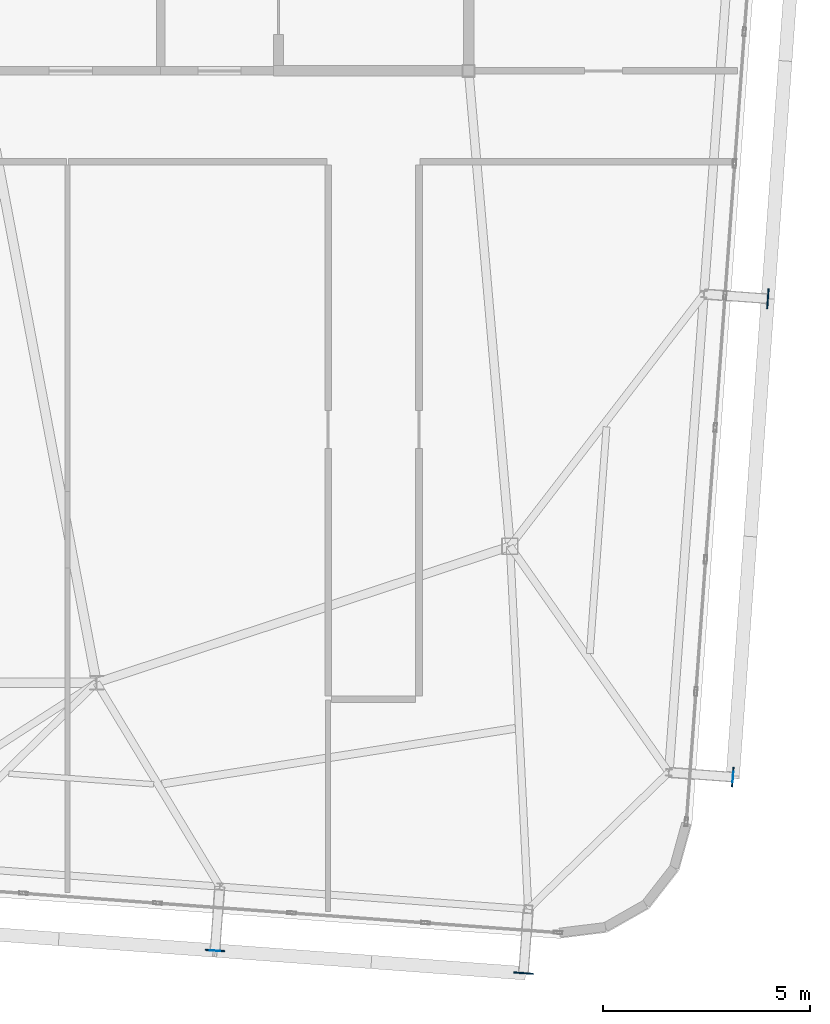
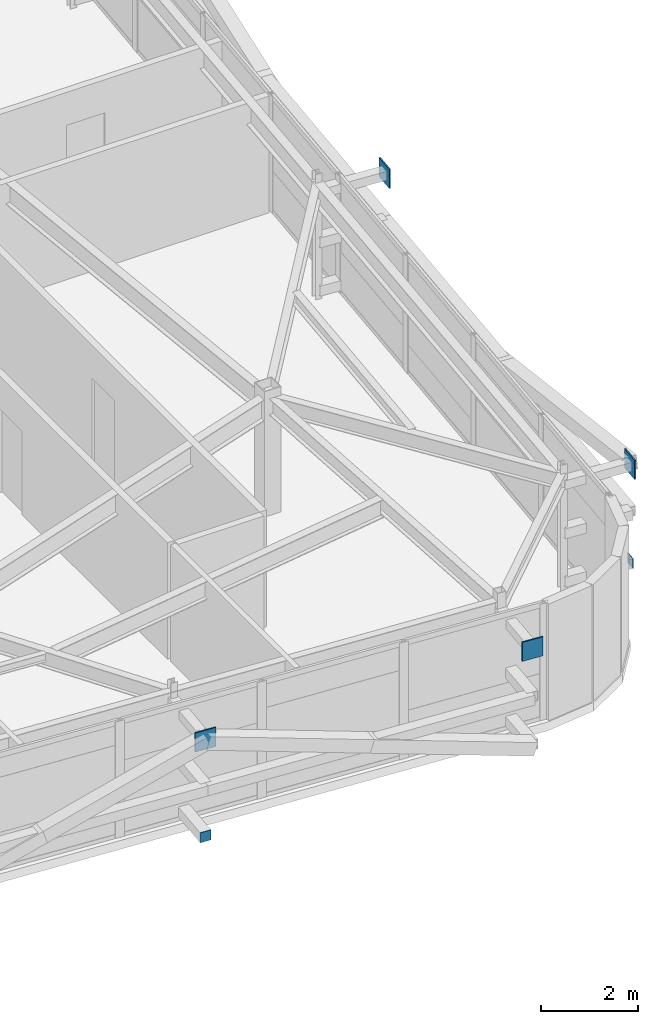
# One storey, part 34 of 42: 6 plates.
"""IFC4 building model written with IfcOpenShell, lengths in metres."""

from ifc_helpers import new_model, si_unit, direction, frame, origin, origin_2d, place, context, subcontext, project, spatial, rectangle, extrude, source, transform, mapped, material, layer, layer_set, type_object, element, save


model = new_model("IFC4")

# Units and contexts
model_context = context("Model", 3, precision=1e-05, world=origin(), true_north=direction((0.0, 1.0)))
body_context = subcontext(model_context, "Body", "Model", "MODEL_VIEW")
ifc_project = project(units=[si_unit("LENGTHUNIT", "METRE"), si_unit("AREAUNIT", "SQUARE_METRE"), si_unit("VOLUMEUNIT", "CUBIC_METRE"), si_unit("PLANEANGLEUNIT", "RADIAN"), si_unit("MASSUNIT", "GRAM", prefix="KILO")], contexts=[model_context])

# Site, building, storey
site_placement = place(None, origin())
site = spatial("IfcSite", under=ifc_project, at=site_placement, CompositionType="ELEMENT")
building_placement = place(site_placement, origin())
building = spatial("IfcBuilding", under=site, at=building_placement, Name="Taldren Reach Tower", CompositionType="ELEMENT")
storey_placement = place(building_placement, frame((0.0, 0.0, 220.85009765625)))
storey = spatial("IfcBuildingStorey", under=building, at=storey_placement, Name="L67", CompositionType="ELEMENT", Elevation=220.85009765625)

# Plates
ifc_material_1 = material(Name="Steel Gr 350 (C350L0)", Category="steel")
ifc_layer_1 = layer(ifc_material_1, 0.011962890625)
ifc_layer_set_1 = layer_set([ifc_layer_1], Name="Steel Gr 350 (C350L0)")
plate_type_1 = type_object("IfcPlateType", Name="PL-CAP-250", PredefinedType="SHEET", material=ifc_layer_set_1)
shared_shape_1 = source(origin(), body_context, "Body", "SweptSolid", [
    extrude(rectangle(XDim=0.25, YDim=0.011962890625, at=origin_2d()), origin(), (0.0, 0.0, 1.0), 0.25),
])
plate_1_placement = place(storey_placement, frame((44.866455078125, 2.717041015625, 0.094970703125), z_axis=(0.0, 0.0, 1.0), x_axis=(0.997314477224, -0.073238197128, 0.0)))
element("IfcPlate", 1, at=plate_1_placement, inside=storey, type_object=plate_type_1, Name="Tie strut end cap plate B5-S5 L67", PredefinedType="SHEET", context=body_context, shape_type="MappedRepresentation", body=[
    mapped(shared_shape_1, transform((0.0, 0.0, 0.0), scale=1.0)),
])
shared_shape_2 = source(origin(), body_context, "Body", "SweptSolid", [
    extrude(rectangle(XDim=0.011962890625, YDim=0.25, at=origin_2d()), origin(), (0.0, 0.0, 1.0), 0.25),
])
plate_2_placement = place(storey_placement, frame((57.3935546875, 6.9169921875, 0.094970703125), z_axis=(0.0, 0.0, 1.0), x_axis=(0.997314477224, -0.073238197128, 0.0)))
element("IfcPlate", 2, at=plate_2_placement, inside=storey, type_object=plate_type_1, Name="Tie strut end cap plate B5-E1 L67", PredefinedType="SHEET", context=body_context, shape_type="MappedRepresentation", body=[
    mapped(shared_shape_2, transform((0.0, 0.0, 0.0), scale=1.0)),
])
ifc_material_2 = material(Name="Steel Gr 450 (C450L0)", Category="steel")
ifc_layer_2 = layer(ifc_material_2, 0.031982421875)
ifc_layer_set_2 = layer_set([ifc_layer_2], Name="Steel Gr 450 (C450L0)")
plate_type_2 = type_object("IfcPlateType", Name="PL-GUSSET-32", PredefinedType="SHEET", material=ifc_layer_set_2)
shared_shape_3 = source(origin(), body_context, "Body", "SweptSolid", [
    extrude(rectangle(XDim=0.47998046875, YDim=0.031982421875, at=origin_2d()), origin(), (0.0, 0.0, 1.0), 0.47998046875),
])
for number, where, z_axis, x_axis, name in (
    (3, (44.86669921875, 2.72314453125, 2.409912109375), (0.0, 0.0, 1.0), (0.997314477224, -0.073238197128, 0.0), "Exoskeleton star-node gusset plate B5-S5 L67"),
    (4, (52.32666015625, 2.17529296875, 2.409912109375), (0.0, 0.0, 1.0), (0.997314477224, -0.073238197128, 0.0), "Exoskeleton star-node gusset plate B5-S6 L67"),
    (5, (57.3876953125, 6.91748046875, 2.409912109375), (0.0, 0.0, 1.0), (0.073238197128, 0.997314477224, 0.0), "Exoskeleton star-node gusset plate B5-E1 L67"),
    (6, (58.237060546875, 18.486328125, 2.409912109375), (0.0, 0.0, 1.0), (0.073238197128, 0.997314477224, 0.0), "Exoskeleton star-node gusset plate B5-E2 L67"),
):
    element("IfcPlate", number, at=place(storey_placement, frame(where, z_axis=z_axis, x_axis=x_axis)), inside=storey, type_object=plate_type_2, Name=name, PredefinedType="SHEET", context=body_context, shape_type="MappedRepresentation", body=[
        mapped(shared_shape_3, transform((0.0, 0.0, 0.0), scale=1.0)),
    ])

save(model, "model.ifc")
